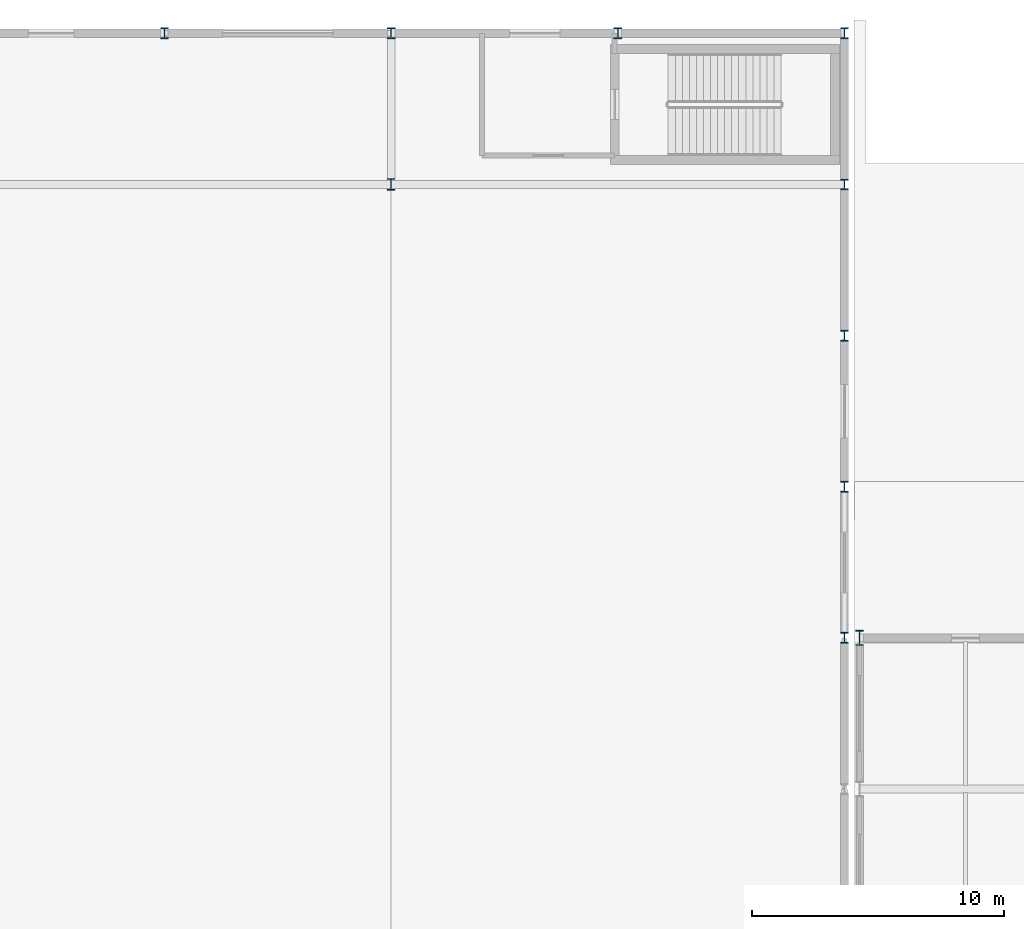
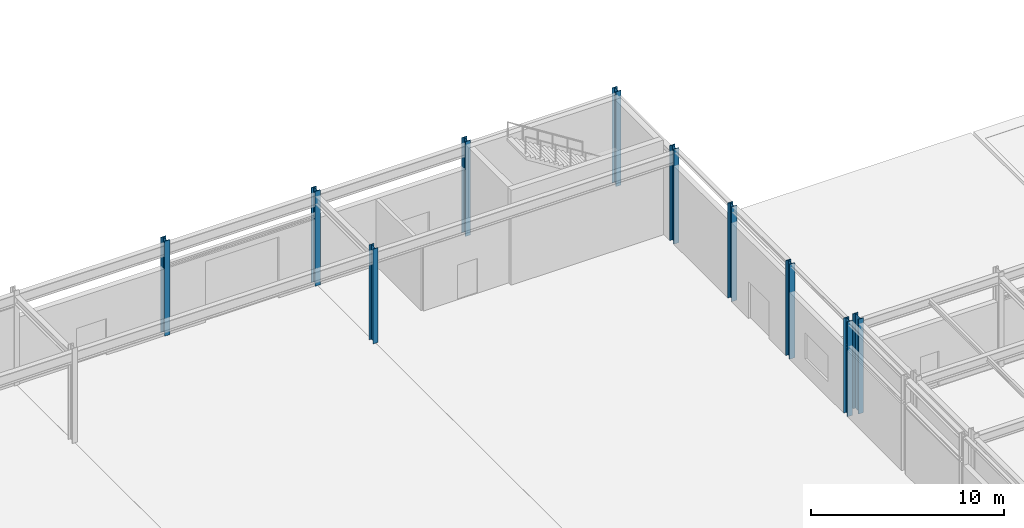
# One storey, part 13 of 146: 10 columns.
"""IFC4 building model written with IfcOpenShell, lengths in metres."""

from ifc_helpers import new_model, si_unit, direction, frame, origin, origin_2d, place, context, subcontext, project, spatial, i_section, extrude, material, material_profile, profile_set, type_object, element, save


model = new_model("IFC4")

# Units and contexts
model_context = context("Model", 3, precision=1e-05, world=origin(), true_north=direction((0.0, 1.0)))
body_context = subcontext(model_context, "Body", "Model", "MODEL_VIEW")
ifc_project = project(units=[si_unit("LENGTHUNIT", "METRE"), si_unit("AREAUNIT", "SQUARE_METRE"), si_unit("VOLUMEUNIT", "CUBIC_METRE"), si_unit("PLANEANGLEUNIT", "RADIAN"), si_unit("MASSUNIT", "GRAM", prefix="KILO")], contexts=[model_context])

# Site, building, storey
site_placement = place(None, origin())
site = spatial("IfcSite", under=ifc_project, at=site_placement, CompositionType="ELEMENT")
building_placement = place(site_placement, origin())
building = spatial("IfcBuilding", under=site, at=building_placement, Name="Kaldris Quays Convention Centre", CompositionType="ELEMENT")
storey_placement = place(building_placement, origin())
storey = spatial("IfcBuildingStorey", under=building, at=storey_placement, Name="L00", CompositionType="ELEMENT", Elevation=0.0)

# Columns
ifc_material_1 = material(Name="Steel S460ML", Category="steel")
ifc_material_profile_1 = material_profile(ifc_material_1, i_section(OverallWidth=0.306884765625, OverallDepth=0.431884765625, WebThickness=0.02099609375, FlangeThickness=0.0400390625, FilletRadius=0.027099609375, at=origin_2d()), Name="HEM 400")
ifc_profile_set_1 = profile_set([ifc_material_profile_1], Name="Steel S460ML")
column_type_1 = type_object("IfcColumnType", Name="STRUCTURAL COLUMN CL01", PredefinedType="COLUMN", material=ifc_profile_set_1)
for number, where, z_axis, x_axis, name in (
    (1, (119.0, 140.0, 0.0), (0.0, 0.0, 1.0), (1.0, 0.0, 0.0), "L00 V1 Column CL01 (119.00, 140.00)"),
    (2, (128.0, 140.0, 0.0), (0.0, 0.0, 1.0), (1.0, 0.0, 0.0), "L00 V1 Column CL01 (128.00, 140.00)"),
    (3, (137.0, 140.0, 0.0), (0.0, 0.0, 1.0), (1.0, 0.0, 0.0), "L00 V1 Column CL01 (137.00, 140.00)"),
    (4, (146.0, 116.0, 0.0), (0.0, 0.0, 1.0), (1.0, 0.0, 0.0), "L00 V1 Column CL01 (146.00, 116.00)"),
    (5, (146.0, 122.0, 0.0), (0.0, 0.0, 1.0), (1.0, 0.0, 0.0), "L00 V1 Column CL01 (146.00, 122.00)"),
    (6, (146.0, 128.0, 0.0), (0.0, 0.0, 1.0), (1.0, 0.0, 0.0), "L00 V1 Column CL01 (146.00, 128.00)"),
    (7, (146.0, 134.0, 0.0), (0.0, 0.0, 1.0), (1.0, 0.0, 0.0), "L00 V1 Column CL01 (146.00, 134.00)"),
    (8, (146.0, 140.0, 0.0), (0.0, 0.0, 1.0), (1.0, 0.0, 0.0), "L00 V1 Column CL01 (146.00, 140.00)"),
):
    element("IfcColumn", number, at=place(storey_placement, frame(where, z_axis=z_axis, x_axis=x_axis)), inside=storey, type_object=column_type_1, Name=name, PredefinedType="COLUMN", context=body_context, shape_type="SweptSolid", body=[
        extrude(i_section(OverallWidth=0.306884765625, OverallDepth=0.431884765625, WebThickness=0.02099609375, FlangeThickness=0.0400390625, FilletRadius=0.027099609375, at=origin_2d()), origin(), (0.0, 0.0, 1.0), 6.0),
    ])
ifc_material_2 = material(Name="Steel S355J2", Category="steel")
ifc_material_profile_2 = material_profile(ifc_material_2, i_section(OverallWidth=0.300048828125, OverallDepth=0.60009765625, WebThickness=0.015380859375, FlangeThickness=0.030029296875, FilletRadius=0.027099609375, at=origin_2d()), Name="HEB 600")
ifc_profile_set_2 = profile_set([ifc_material_profile_2], Name="Steel S355J2")
column_type_2 = type_object("IfcColumnType", Name="STRUCTURAL COLUMN CL06", PredefinedType="COLUMN", material=ifc_profile_set_2)
column_1_placement = place(storey_placement, frame((146.60009765625, 116.0, 0.0), z_axis=(0.0, 0.0, 1.0), x_axis=(1.0, 0.0, 0.0)))
element("IfcColumn", 9, at=column_1_placement, inside=storey, type_object=column_type_2, Name="L00 V4 Column CL06 (146.60, 116.00)", PredefinedType="COLUMN", context=body_context, shape_type="SweptSolid", body=[
    extrude(i_section(OverallWidth=0.300048828125, OverallDepth=0.60009765625, WebThickness=0.015380859375, FlangeThickness=0.030029296875, FilletRadius=0.027099609375, at=origin_2d()), origin(), (0.0, 0.0, 1.0), 6.0),
])
ifc_material_profile_3 = material_profile(ifc_material_2, i_section(OverallWidth=0.300048828125, OverallDepth=0.449951171875, WebThickness=0.013916015625, FlangeThickness=0.02587890625, FilletRadius=0.027099609375, at=origin_2d()), Name="HEB 450")
ifc_profile_set_3 = profile_set([ifc_material_profile_3], Name="Steel S355J2")
column_type_3 = type_object("IfcColumnType", Name="STRUCTURAL COLUMN CL08", PredefinedType="COLUMN", material=ifc_profile_set_3)
column_2_placement = place(storey_placement, frame((128.0, 134.0, 0.0), z_axis=(0.0, 0.0, 1.0), x_axis=(1.0, 0.0, 0.0)))
element("IfcColumn", 10, at=column_2_placement, inside=storey, type_object=column_type_3, Name="L00 V1 Column CL08 (128.00, 134.00)", PredefinedType="COLUMN", context=body_context, shape_type="SweptSolid", body=[
    extrude(i_section(OverallWidth=0.300048828125, OverallDepth=0.449951171875, WebThickness=0.013916015625, FlangeThickness=0.02587890625, FilletRadius=0.027099609375, at=origin_2d()), origin(), (0.0, 0.0, 1.0), 6.0),
])

save(model, "model.ifc")
